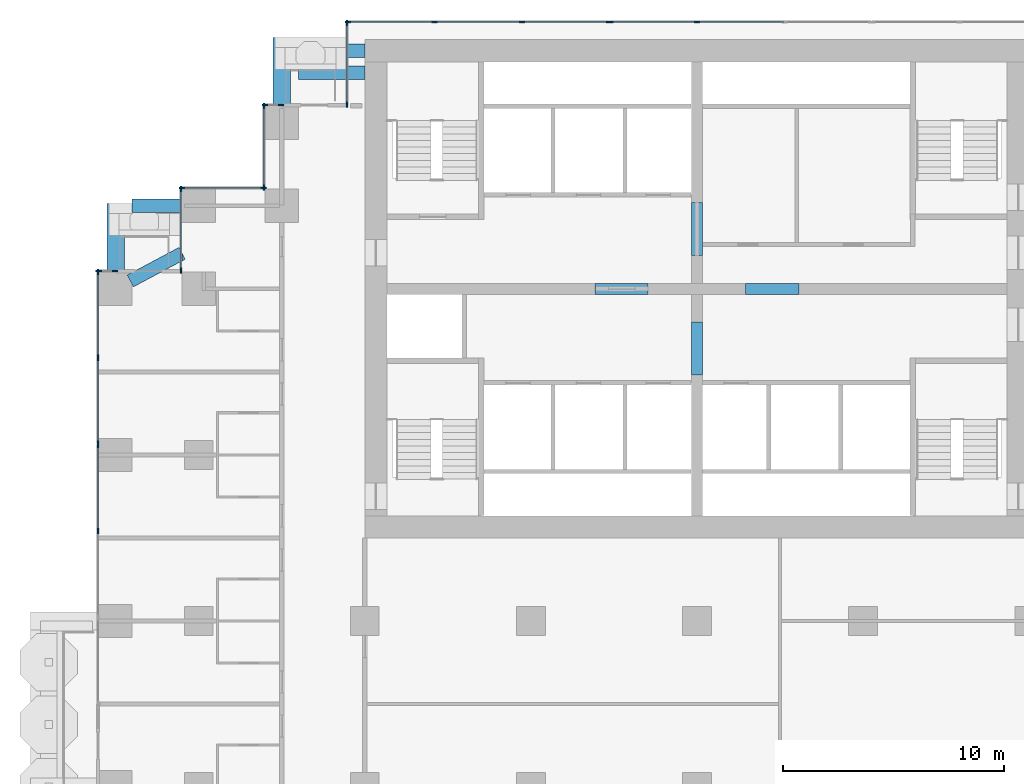
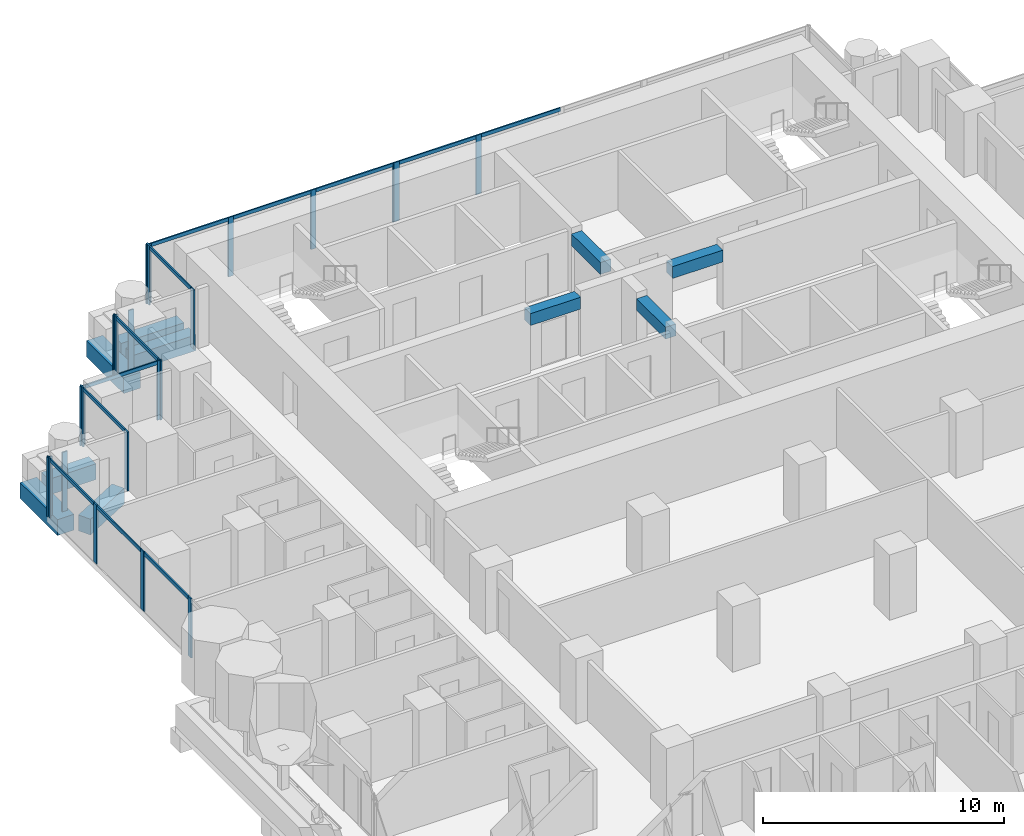
# One storey, part 5 of 20: 35 members, 10 beams, 10 elements without a shape of their own.
"""IFC4 building model written with IfcOpenShell, lengths in metres."""

from ifc_helpers import new_model, si_unit, direction, frame, origin, origin_2d, place, context, subcontext, project, spatial, rectangle, extrude, material, material_profile, profile_set, type_object, element, aggregate, save


model = new_model("IFC4")

# Units and contexts
model_context = context("Model", 3, precision=1e-05, world=origin(), true_north=direction((0.0, 1.0)))
body_context = subcontext(model_context, "Body", "Model", "MODEL_VIEW")
ifc_project = project(units=[si_unit("LENGTHUNIT", "METRE"), si_unit("AREAUNIT", "SQUARE_METRE"), si_unit("VOLUMEUNIT", "CUBIC_METRE"), si_unit("PLANEANGLEUNIT", "RADIAN"), si_unit("MASSUNIT", "GRAM", prefix="KILO")], contexts=[model_context])

# Site, building, storey
site_placement = place(None, origin())
site = spatial("IfcSite", under=ifc_project, at=site_placement, CompositionType="ELEMENT")
building_placement = place(site_placement, origin())
building = spatial("IfcBuilding", under=site, at=building_placement, Name="Pilkhan Gate Tower", CompositionType="ELEMENT")
storey_placement = place(building_placement, frame((0.0, 0.0, 85.699951171875)))
storey = spatial("IfcBuildingStorey", under=building, at=storey_placement, Name="L20", CompositionType="ELEMENT", Elevation=85.699951171875)

# Beams
ifc_material_1 = material(Name="Concrete C50/60", Category="concrete")
ifc_material_profile_1 = material_profile(ifc_material_1, rectangle(XDim=0.60009765625, YDim=0.800048828125, at=origin_2d()), Name="RC 600x800")
ifc_profile_set_1 = profile_set([ifc_material_profile_1], Name="Concrete C50/60")
beam_type_1 = type_object("IfcBeamType", Name="Cantilever beam CB1 RC 600x800 C50/60", PredefinedType="BEAM", material=ifc_profile_set_1)
for number, where, z_axis, x_axis, name in (
    (1, (60.0, 93.25, -0.699951171875), (-1.0, 0.0, 0.0), (0.0, -1.0, 0.0), "Balcony beam NW.2 L20"),
    (2, (60.0, 92.25, -0.699951171875), (-1.0, 0.0, 0.0), (0.0, -1.0, 0.0), "Balcony beam NW.3 L20"),
):
    element("IfcBeam", number, at=place(storey_placement, frame(where, z_axis=z_axis, x_axis=x_axis)), inside=storey, type_object=beam_type_1, Name=name, PredefinedType="BEAM", context=body_context, shape_type="SweptSolid", body=[
        extrude(rectangle(XDim=0.60009765625, YDim=0.800048828125, at=origin_2d()), origin(), (0.0, 0.0, 1.0), 3.0),
    ])
beam_1_placement = place(storey_placement, frame((51.75, 86.25, -0.699951171875), z_axis=(-1.0, 0.0, 0.0), x_axis=(0.0, -1.0, 0.0)))
element("IfcBeam", 3, at=beam_1_placement, inside=storey, type_object=beam_type_1, Name="Balcony beam NW2.2 L20", PredefinedType="BEAM", context=body_context, shape_type="SweptSolid", body=[
    extrude(rectangle(XDim=0.60009765625, YDim=0.800048828125, at=origin_2d()), origin(), (0.0, 0.0, 1.0), 2.25),
])
beam_2_placement = place(storey_placement, frame((49.411865234375, 82.85302734375, -0.699951171875), z_axis=(0.882342739565, 0.470607362817, 0.0), x_axis=(-0.470607362817, 0.882342739565, 0.0)))
element("IfcBeam", 4, at=beam_2_placement, inside=storey, type_object=beam_type_1, Name="Balcony beam NW2.3 L20", PredefinedType="BEAM", context=body_context, shape_type="SweptSolid", body=[
    extrude(rectangle(XDim=0.60009765625, YDim=0.800048828125, at=origin_2d()), origin(), (0.0, 0.0, 1.0), 2.64990234375),
])
ifc_material_profile_2 = material_profile(ifc_material_1, rectangle(XDim=0.800048828125, YDim=0.800048828125, at=origin_2d()), Name="RC 800x800")
ifc_profile_set_2 = profile_set([ifc_material_profile_2], Name="Concrete C50/60")
beam_type_2 = type_object("IfcBeamType", Name="Cantilever beam CB2 RC 800x800 C50/60", PredefinedType="BEAM", material=ifc_profile_set_2)
for number, where, z_axis, x_axis, name in (
    (5, (56.25, 90.75, -0.699951171875), (0.0, 1.0, 0.0), (-1.0, 0.0, 0.0), "Balcony beam NW.1 L20"),
    (6, (48.75, 83.25, -0.699951171875), (0.0, 1.0, 0.0), (-1.0, 0.0, 0.0), "Balcony beam NW2.1 L20"),
):
    element("IfcBeam", number, at=place(storey_placement, frame(where, z_axis=z_axis, x_axis=x_axis)), inside=storey, type_object=beam_type_2, Name=name, PredefinedType="BEAM", context=body_context, shape_type="SweptSolid", body=[
        extrude(rectangle(XDim=0.800048828125, YDim=0.800048828125, at=origin_2d()), origin(), (0.0, 0.0, 1.0), 3.10009765625),
    ])
ifc_material_2 = material(Name="Concrete C70/85", Category="concrete")
ifc_material_profile_3 = material_profile(ifc_material_2, rectangle(XDim=0.5, YDim=0.60009765625, at=origin_2d()), Name="RC 500x600")
ifc_profile_set_3 = profile_set([ifc_material_profile_3], Name="Concrete C70/85")
beam_type_3 = type_object("IfcBeamType", Name="Coupling beam CB60 RC 500x600 C70/85", PredefinedType="LINTEL", material=ifc_profile_set_3)
for number, where, z_axis, x_axis, name in (
    (7, (70.39990234375, 82.5, 2.699951171875), (1.0, 0.0, 0.0), (0.0, 1.0, 0.0), "Coupling beam 1 L20"),
    (8, (77.199951171875, 82.5, 2.699951171875), (1.0, 0.0, 0.0), (0.0, 1.0, 0.0), "Coupling beam 2 L20"),
):
    element("IfcBeam", number, at=place(storey_placement, frame(where, z_axis=z_axis, x_axis=x_axis)), inside=storey, type_object=beam_type_3, Name=name, PredefinedType="LINTEL", context=body_context, shape_type="SweptSolid", body=[
        extrude(rectangle(XDim=0.5, YDim=0.60009765625, at=origin_2d()), origin(), (0.0, 0.0, 1.0), 2.400146484375),
    ])
for number, where, z_axis, x_axis, name in (
    (9, (75.0, 78.60009765625, 2.699951171875), (0.0, 1.0, 0.0), (-1.0, 0.0, 0.0), "Coupling beam 3 L20"),
    (10, (75.0, 84.0, 2.699951171875), (0.0, 1.0, 0.0), (-1.0, 0.0, 0.0), "Coupling beam 4 L20"),
):
    element("IfcBeam", number, at=place(storey_placement, frame(where, z_axis=z_axis, x_axis=x_axis)), inside=storey, type_object=beam_type_3, Name=name, PredefinedType="LINTEL", context=body_context, shape_type="SweptSolid", body=[
        extrude(rectangle(XDim=0.5, YDim=0.60009765625, at=origin_2d()), origin(), (0.0, 0.0, 1.0), 2.39990234375),
    ])

# Curtain wall, members
ifc_material_3 = material(Name="Pale anodised aluminium, clear low-iron double glazing", Category="aluminium")
curtain_wall_type = type_object("IfcCurtainWallType", Name="Hotel unitised curtain wall CW-H", PredefinedType="USERDEFINED", material=ifc_material_3)
curtain_wall_1_placement = place(storey_placement, origin())
curtain_wall_1 = element("IfcCurtainWall", 11, at=curtain_wall_1_placement, inside=storey, type_object=curtain_wall_type, Name="Hotel unitised curtain wall CW-H L20 N", ObjectType="UNITISED CURTAIN WALL", PredefinedType="USERDEFINED")
ifc_material_4 = material(Name="Pale anodised aluminium", Category="aluminium")
ifc_material_profile_4 = material_profile(ifc_material_4, rectangle(XDim=0.06494140625, YDim=0.25, at=origin_2d()), Name="Mullion 250x65")
ifc_profile_set_4 = profile_set([ifc_material_profile_4], Name="Pale anodised aluminium")
member_type_1 = type_object("IfcMemberType", Name="Mullion CW-H 250x65", PredefinedType="MULLION", material=ifc_profile_set_4)
member_1_placement = place(storey_placement, frame((59.237548828125, 94.544921875, 0.0), z_axis=(0.0, 0.0, 1.0), x_axis=(0.0, 1.0, 0.0)))
member_1 = element("IfcMember", 12, at=member_1_placement, type_object=member_type_1, Name="CW-H mullion 1", PredefinedType="MULLION", context=body_context, shape_type="SweptSolid", body=[
    extrude(rectangle(XDim=0.06494140625, YDim=0.25, at=origin_2d()), origin(), (0.0, 0.0, 1.0), 3.0),
])
member_2_placement = place(storey_placement, frame((63.15380859375, 94.544921875, 0.0), z_axis=(0.0, 0.0, 1.0), x_axis=(0.0, 1.0, 0.0)))
member_2 = element("IfcMember", 13, at=member_2_placement, type_object=member_type_1, Name="CW-H mullion 2", PredefinedType="MULLION", context=body_context, shape_type="SweptSolid", body=[
    extrude(rectangle(XDim=0.06494140625, YDim=0.25, at=origin_2d()), origin(), (0.0, 0.0, 1.0), 3.0),
])
member_3_placement = place(storey_placement, frame((67.1025390625, 94.544921875, 0.0), z_axis=(0.0, 0.0, 1.0), x_axis=(0.0, 1.0, 0.0)))
member_3 = element("IfcMember", 14, at=member_3_placement, type_object=member_type_1, Name="CW-H mullion 3", PredefinedType="MULLION", context=body_context, shape_type="SweptSolid", body=[
    extrude(rectangle(XDim=0.06494140625, YDim=0.25, at=origin_2d()), origin(), (0.0, 0.0, 1.0), 3.0),
])
member_4_placement = place(storey_placement, frame((71.018798828125, 94.544921875, 0.0), z_axis=(0.0, 0.0, 1.0), x_axis=(0.0, 1.0, 0.0)))
member_4 = element("IfcMember", 15, at=member_4_placement, type_object=member_type_1, Name="CW-H mullion 4", PredefinedType="MULLION", context=body_context, shape_type="SweptSolid", body=[
    extrude(rectangle(XDim=0.06494140625, YDim=0.25, at=origin_2d()), origin(), (0.0, 0.0, 1.0), 3.0),
])

curtain_wall_2_placement = place(storey_placement, origin())
curtain_wall_2 = element("IfcCurtainWall", 16, at=curtain_wall_2_placement, inside=storey, type_object=curtain_wall_type, Name="Hotel unitised curtain wall CW-H L20 N", ObjectType="UNITISED CURTAIN WALL", PredefinedType="USERDEFINED")
member_5_placement = place(storey_placement, frame((71.083740234375, 94.544921875, 0.0), z_axis=(0.0, 0.0, 1.0), x_axis=(0.0, 1.0, 0.0)))
member_5 = element("IfcMember", 17, at=member_5_placement, type_object=member_type_1, Name="CW-H mullion 1", PredefinedType="MULLION", context=body_context, shape_type="SweptSolid", body=[
    extrude(rectangle(XDim=0.06494140625, YDim=0.25, at=origin_2d()), origin(), (0.0, 0.0, 1.0), 3.0),
])
member_6_placement = place(storey_placement, frame((75.0, 94.544921875, 0.0), z_axis=(0.0, 0.0, 1.0), x_axis=(0.0, 1.0, 0.0)))
member_6 = element("IfcMember", 18, at=member_6_placement, type_object=member_type_1, Name="CW-H mullion 2", PredefinedType="MULLION", context=body_context, shape_type="SweptSolid", body=[
    extrude(rectangle(XDim=0.06494140625, YDim=0.25, at=origin_2d()), origin(), (0.0, 0.0, 1.0), 3.0),
])

curtain_wall_3_placement = place(storey_placement, origin())
curtain_wall_3 = element("IfcCurtainWall", 19, at=curtain_wall_3_placement, inside=storey, type_object=curtain_wall_type, Name="Hotel unitised curtain wall CW-H L20 W", ObjectType="UNITISED CURTAIN WALL", PredefinedType="USERDEFINED")
member_7_placement = place(storey_placement, frame((59.205078125, 90.827392578125, 0.0), z_axis=(0.0, 0.0, 1.0), x_axis=(-1.0, 0.0, 0.0)))
member_7 = element("IfcMember", 20, at=member_7_placement, type_object=member_type_1, Name="CW-H mullion 1", PredefinedType="MULLION", context=body_context, shape_type="SweptSolid", body=[
    extrude(rectangle(XDim=0.06494140625, YDim=0.25, at=origin_2d()), origin(), (0.0, 0.0, 1.0), 3.0),
])
member_8_placement = place(storey_placement, frame((59.205078125, 94.512451171875, 0.0), z_axis=(0.0, 0.0, 1.0), x_axis=(-1.0, 0.0, 0.0)))
member_8 = element("IfcMember", 21, at=member_8_placement, type_object=member_type_1, Name="CW-H mullion 2", PredefinedType="MULLION", context=body_context, shape_type="SweptSolid", body=[
    extrude(rectangle(XDim=0.06494140625, YDim=0.25, at=origin_2d()), origin(), (0.0, 0.0, 1.0), 3.0),
])

curtain_wall_4_placement = place(storey_placement, origin())
curtain_wall_4 = element("IfcCurtainWall", 22, at=curtain_wall_4_placement, inside=storey, type_object=curtain_wall_type, Name="Hotel unitised curtain wall CW-H L20 N", ObjectType="UNITISED CURTAIN WALL", PredefinedType="USERDEFINED")
member_9_placement = place(storey_placement, frame((55.487548828125, 90.794921875, 0.0), z_axis=(0.0, 0.0, 1.0), x_axis=(0.0, 1.0, 0.0)))
member_9 = element("IfcMember", 23, at=member_9_placement, type_object=member_type_1, Name="CW-H mullion 1", PredefinedType="MULLION", context=body_context, shape_type="SweptSolid", body=[
    extrude(rectangle(XDim=0.06494140625, YDim=0.25, at=origin_2d()), origin(), (0.0, 0.0, 1.0), 3.0),
])
member_10_placement = place(storey_placement, frame((56.217529296875, 90.794921875, 0.0), z_axis=(0.0, 0.0, 1.0), x_axis=(0.0, 1.0, 0.0)))
member_10 = element("IfcMember", 24, at=member_10_placement, type_object=member_type_1, Name="CW-H mullion 2", PredefinedType="MULLION", context=body_context, shape_type="SweptSolid", body=[
    extrude(rectangle(XDim=0.06494140625, YDim=0.25, at=origin_2d()), origin(), (0.0, 0.0, 1.0), 3.0),
])
aggregate(curtain_wall_4, [member_9, member_10])

curtain_wall_5_placement = place(storey_placement, origin())
curtain_wall_5 = element("IfcCurtainWall", 25, at=curtain_wall_5_placement, inside=storey, type_object=curtain_wall_type, Name="Hotel unitised curtain wall CW-H L20 W", ObjectType="UNITISED CURTAIN WALL", PredefinedType="USERDEFINED")
member_11_placement = place(storey_placement, frame((55.455078125, 87.077392578125, 0.0), z_axis=(0.0, 0.0, 1.0), x_axis=(-1.0, 0.0, 0.0)))
member_11 = element("IfcMember", 26, at=member_11_placement, type_object=member_type_1, Name="CW-H mullion 1", PredefinedType="MULLION", context=body_context, shape_type="SweptSolid", body=[
    extrude(rectangle(XDim=0.06494140625, YDim=0.25, at=origin_2d()), origin(), (0.0, 0.0, 1.0), 3.0),
])
member_12_placement = place(storey_placement, frame((55.455078125, 90.762451171875, 0.0), z_axis=(0.0, 0.0, 1.0), x_axis=(-1.0, 0.0, 0.0)))
member_12 = element("IfcMember", 27, at=member_12_placement, type_object=member_type_1, Name="CW-H mullion 2", PredefinedType="MULLION", context=body_context, shape_type="SweptSolid", body=[
    extrude(rectangle(XDim=0.06494140625, YDim=0.25, at=origin_2d()), origin(), (0.0, 0.0, 1.0), 3.0),
])

curtain_wall_6_placement = place(storey_placement, origin())
curtain_wall_6 = element("IfcCurtainWall", 28, at=curtain_wall_6_placement, inside=storey, type_object=curtain_wall_type, Name="Hotel unitised curtain wall CW-H L20 N", ObjectType="UNITISED CURTAIN WALL", PredefinedType="USERDEFINED")
member_13_placement = place(storey_placement, frame((51.737548828125, 87.044921875, 0.0), z_axis=(0.0, 0.0, 1.0), x_axis=(0.0, 1.0, 0.0)))
member_13 = element("IfcMember", 29, at=member_13_placement, type_object=member_type_1, Name="CW-H mullion 1", PredefinedType="MULLION", context=body_context, shape_type="SweptSolid", body=[
    extrude(rectangle(XDim=0.06494140625, YDim=0.25, at=origin_2d()), origin(), (0.0, 0.0, 1.0), 3.0),
])
member_14_placement = place(storey_placement, frame((55.422607421875, 87.044921875, 0.0), z_axis=(0.0, 0.0, 1.0), x_axis=(0.0, 1.0, 0.0)))
member_14 = element("IfcMember", 30, at=member_14_placement, type_object=member_type_1, Name="CW-H mullion 2", PredefinedType="MULLION", context=body_context, shape_type="SweptSolid", body=[
    extrude(rectangle(XDim=0.06494140625, YDim=0.25, at=origin_2d()), origin(), (0.0, 0.0, 1.0), 3.0),
])

curtain_wall_7_placement = place(storey_placement, origin())
curtain_wall_7 = element("IfcCurtainWall", 31, at=curtain_wall_7_placement, inside=storey, type_object=curtain_wall_type, Name="Hotel unitised curtain wall CW-H L20 W", ObjectType="UNITISED CURTAIN WALL", PredefinedType="USERDEFINED")
member_15_placement = place(storey_placement, frame((51.705078125, 83.327392578125, 0.0), z_axis=(0.0, 0.0, 1.0), x_axis=(-1.0, 0.0, 0.0)))
member_15 = element("IfcMember", 32, at=member_15_placement, type_object=member_type_1, Name="CW-H mullion 1", PredefinedType="MULLION", context=body_context, shape_type="SweptSolid", body=[
    extrude(rectangle(XDim=0.06494140625, YDim=0.25, at=origin_2d()), origin(), (0.0, 0.0, 1.0), 3.0),
])
member_16_placement = place(storey_placement, frame((51.705078125, 87.012451171875, 0.0), z_axis=(0.0, 0.0, 1.0), x_axis=(-1.0, 0.0, 0.0)))
member_16 = element("IfcMember", 33, at=member_16_placement, type_object=member_type_1, Name="CW-H mullion 2", PredefinedType="MULLION", context=body_context, shape_type="SweptSolid", body=[
    extrude(rectangle(XDim=0.06494140625, YDim=0.25, at=origin_2d()), origin(), (0.0, 0.0, 1.0), 3.0),
])

curtain_wall_8_placement = place(storey_placement, origin())
curtain_wall_8 = element("IfcCurtainWall", 34, at=curtain_wall_8_placement, inside=storey, type_object=curtain_wall_type, Name="Hotel unitised curtain wall CW-H L20 N", ObjectType="UNITISED CURTAIN WALL", PredefinedType="USERDEFINED")
member_17_placement = place(storey_placement, frame((47.987548828125, 83.294921875, 0.0), z_axis=(0.0, 0.0, 1.0), x_axis=(0.0, 1.0, 0.0)))
member_17 = element("IfcMember", 35, at=member_17_placement, type_object=member_type_1, Name="CW-H mullion 1", PredefinedType="MULLION", context=body_context, shape_type="SweptSolid", body=[
    extrude(rectangle(XDim=0.06494140625, YDim=0.25, at=origin_2d()), origin(), (0.0, 0.0, 1.0), 3.0),
])
member_18_placement = place(storey_placement, frame((48.717529296875, 83.294921875, 0.0), z_axis=(0.0, 0.0, 1.0), x_axis=(0.0, 1.0, 0.0)))
member_18 = element("IfcMember", 36, at=member_18_placement, type_object=member_type_1, Name="CW-H mullion 2", PredefinedType="MULLION", context=body_context, shape_type="SweptSolid", body=[
    extrude(rectangle(XDim=0.06494140625, YDim=0.25, at=origin_2d()), origin(), (0.0, 0.0, 1.0), 3.0),
])
aggregate(curtain_wall_8, [member_17, member_18])

curtain_wall_9_placement = place(storey_placement, origin())
curtain_wall_9 = element("IfcCurtainWall", 37, at=curtain_wall_9_placement, inside=storey, type_object=curtain_wall_type, Name="Hotel unitised curtain wall CW-H L20 W", ObjectType="UNITISED CURTAIN WALL", PredefinedType="USERDEFINED")
member_19_placement = place(storey_placement, frame((47.955078125, 71.568115234375, 0.0), z_axis=(0.0, 0.0, 1.0), x_axis=(-1.0, 0.0, 0.0)))
member_19 = element("IfcMember", 38, at=member_19_placement, type_object=member_type_1, Name="CW-H mullion 3", PredefinedType="MULLION", context=body_context, shape_type="SweptSolid", body=[
    extrude(rectangle(XDim=0.06494140625, YDim=0.25, at=origin_2d()), origin(), (0.0, 0.0, 1.0), 3.0),
])
member_20_placement = place(storey_placement, frame((47.955078125, 75.444580078125, 0.0), z_axis=(0.0, 0.0, 1.0), x_axis=(-1.0, 0.0, 0.0)))
member_20 = element("IfcMember", 39, at=member_20_placement, type_object=member_type_1, Name="CW-H mullion 4", PredefinedType="MULLION", context=body_context, shape_type="SweptSolid", body=[
    extrude(rectangle(XDim=0.06494140625, YDim=0.25, at=origin_2d()), origin(), (0.0, 0.0, 1.0), 3.0),
])

curtain_wall_10_placement = place(storey_placement, origin())
curtain_wall_10 = element("IfcCurtainWall", 40, at=curtain_wall_10_placement, inside=storey, type_object=curtain_wall_type, Name="Hotel unitised curtain wall CW-H L20 W", ObjectType="UNITISED CURTAIN WALL", PredefinedType="USERDEFINED")
member_21_placement = place(storey_placement, frame((47.955078125, 75.509521484375, 0.0), z_axis=(0.0, 0.0, 1.0), x_axis=(-1.0, 0.0, 0.0)))
member_21 = element("IfcMember", 41, at=member_21_placement, type_object=member_type_1, Name="CW-H mullion 1", PredefinedType="MULLION", context=body_context, shape_type="SweptSolid", body=[
    extrude(rectangle(XDim=0.06494140625, YDim=0.25, at=origin_2d()), origin(), (0.0, 0.0, 1.0), 3.0),
])
member_22_placement = place(storey_placement, frame((47.955078125, 79.385986328125, 0.0), z_axis=(0.0, 0.0, 1.0), x_axis=(-1.0, 0.0, 0.0)))
member_22 = element("IfcMember", 42, at=member_22_placement, type_object=member_type_1, Name="CW-H mullion 2", PredefinedType="MULLION", context=body_context, shape_type="SweptSolid", body=[
    extrude(rectangle(XDim=0.06494140625, YDim=0.25, at=origin_2d()), origin(), (0.0, 0.0, 1.0), 3.0),
])
member_23_placement = place(storey_placement, frame((47.955078125, 83.262451171875, 0.0), z_axis=(0.0, 0.0, 1.0), x_axis=(-1.0, 0.0, 0.0)))
member_23 = element("IfcMember", 43, at=member_23_placement, type_object=member_type_1, Name="CW-H mullion 3", PredefinedType="MULLION", context=body_context, shape_type="SweptSolid", body=[
    extrude(rectangle(XDim=0.06494140625, YDim=0.25, at=origin_2d()), origin(), (0.0, 0.0, 1.0), 3.0),
])

# Member
ifc_material_profile_5 = material_profile(ifc_material_4, rectangle(XDim=0.06494140625, YDim=0.179931640625, at=origin_2d()), Name="Transom 180x65")
ifc_profile_set_5 = profile_set([ifc_material_profile_5], Name="Pale anodised aluminium")
member_type_2 = type_object("IfcMemberType", Name="Transom CW-H 180x65", PredefinedType="USERDEFINED", material=ifc_profile_set_5)
member_24_placement = place(storey_placement, frame((59.27001953125, 94.544921875, 2.91015625), z_axis=(1.0, 0.0, 0.0), x_axis=(0.0, 1.0, 0.0)))
member_24 = element("IfcMember", 44, at=member_24_placement, type_object=member_type_2, Name="CW-H transom 1", ObjectType="TRANSOM", PredefinedType="USERDEFINED", context=body_context, shape_type="SweptSolid", body=[
    extrude(rectangle(XDim=0.06494140625, YDim=0.179931640625, at=origin_2d()), origin(), (0.0, 0.0, 1.0), 3.851318359375),
])

member_25_placement = place(storey_placement, frame((63.186279296875, 94.544921875, 2.91015625), z_axis=(1.0, 0.0, 0.0), x_axis=(0.0, 1.0, 0.0)))
member_25 = element("IfcMember", 45, at=member_25_placement, type_object=member_type_2, Name="CW-H transom 2", ObjectType="TRANSOM", PredefinedType="USERDEFINED", context=body_context, shape_type="SweptSolid", body=[
    extrude(rectangle(XDim=0.06494140625, YDim=0.179931640625, at=origin_2d()), origin(), (0.0, 0.0, 1.0), 3.8837890625),
])

member_26_placement = place(storey_placement, frame((67.135009765625, 94.544921875, 2.91015625), z_axis=(1.0, 0.0, 0.0), x_axis=(0.0, 1.0, 0.0)))
member_26 = element("IfcMember", 46, at=member_26_placement, type_object=member_type_2, Name="CW-H transom 3", ObjectType="TRANSOM", PredefinedType="USERDEFINED", context=body_context, shape_type="SweptSolid", body=[
    extrude(rectangle(XDim=0.06494140625, YDim=0.179931640625, at=origin_2d()), origin(), (0.0, 0.0, 1.0), 3.851318359375),
])

aggregate(curtain_wall_1, [member_1, member_2, member_3, member_4, member_24, member_25, member_26])

member_27_placement = place(storey_placement, frame((71.1162109375, 94.544921875, 2.91015625), z_axis=(1.0, 0.0, 0.0), x_axis=(0.0, 1.0, 0.0)))
member_27 = element("IfcMember", 47, at=member_27_placement, type_object=member_type_2, Name="CW-H transom 1", ObjectType="TRANSOM", PredefinedType="USERDEFINED", context=body_context, shape_type="SweptSolid", body=[
    extrude(rectangle(XDim=0.06494140625, YDim=0.179931640625, at=origin_2d()), origin(), (0.0, 0.0, 1.0), 3.851318359375),
])

member_28_placement = place(storey_placement, frame((75.032470703125, 94.544921875, 2.91015625), z_axis=(1.0, 0.0, 0.0), x_axis=(0.0, 1.0, 0.0)))
member_28 = element("IfcMember", 48, at=member_28_placement, type_object=member_type_2, Name="CW-H transom 2", ObjectType="TRANSOM", PredefinedType="USERDEFINED", context=body_context, shape_type="SweptSolid", body=[
    extrude(rectangle(XDim=0.06494140625, YDim=0.179931640625, at=origin_2d()), origin(), (0.0, 0.0, 1.0), 3.8837890625),
])

aggregate(curtain_wall_2, [member_5, member_6, member_27, member_28])

member_29_placement = place(storey_placement, frame((59.205078125, 90.860107421875, 2.91015625), z_axis=(0.0, 1.0, 0.0), x_axis=(-1.0, 0.0, 0.0)))
member_29 = element("IfcMember", 49, at=member_29_placement, type_object=member_type_2, Name="CW-H transom 1", ObjectType="TRANSOM", PredefinedType="USERDEFINED", context=body_context, shape_type="SweptSolid", body=[
    extrude(rectangle(XDim=0.06494140625, YDim=0.179931640625, at=origin_2d()), origin(), (0.0, 0.0, 1.0), 3.619873046875),
])

aggregate(curtain_wall_3, [member_7, member_8, member_29])

member_30_placement = place(storey_placement, frame((55.455078125, 87.110107421875, 2.91015625), z_axis=(0.0, 1.0, 0.0), x_axis=(-1.0, 0.0, 0.0)))
member_30 = element("IfcMember", 50, at=member_30_placement, type_object=member_type_2, Name="CW-H transom 1", ObjectType="TRANSOM", PredefinedType="USERDEFINED", context=body_context, shape_type="SweptSolid", body=[
    extrude(rectangle(XDim=0.06494140625, YDim=0.179931640625, at=origin_2d()), origin(), (0.0, 0.0, 1.0), 3.619873046875),
])

aggregate(curtain_wall_5, [member_11, member_12, member_30])

member_31_placement = place(storey_placement, frame((51.77001953125, 87.044921875, 2.91015625), z_axis=(1.0, 0.0, 0.0), x_axis=(0.0, 1.0, 0.0)))
member_31 = element("IfcMember", 51, at=member_31_placement, type_object=member_type_2, Name="CW-H transom 1", ObjectType="TRANSOM", PredefinedType="USERDEFINED", context=body_context, shape_type="SweptSolid", body=[
    extrude(rectangle(XDim=0.06494140625, YDim=0.179931640625, at=origin_2d()), origin(), (0.0, 0.0, 1.0), 3.619873046875),
])

aggregate(curtain_wall_6, [member_13, member_14, member_31])

member_32_placement = place(storey_placement, frame((51.705078125, 83.360107421875, 2.91015625), z_axis=(0.0, 1.0, 0.0), x_axis=(-1.0, 0.0, 0.0)))
member_32 = element("IfcMember", 52, at=member_32_placement, type_object=member_type_2, Name="CW-H transom 1", ObjectType="TRANSOM", PredefinedType="USERDEFINED", context=body_context, shape_type="SweptSolid", body=[
    extrude(rectangle(XDim=0.06494140625, YDim=0.179931640625, at=origin_2d()), origin(), (0.0, 0.0, 1.0), 3.619873046875),
])

aggregate(curtain_wall_7, [member_15, member_16, member_32])

member_33_placement = place(storey_placement, frame((47.955078125, 71.6005859375, 2.91015625), z_axis=(0.0, 1.0, 0.0), x_axis=(-1.0, 0.0, 0.0)))
member_33 = element("IfcMember", 53, at=member_33_placement, type_object=member_type_2, Name="CW-H transom 3", ObjectType="TRANSOM", PredefinedType="USERDEFINED", context=body_context, shape_type="SweptSolid", body=[
    extrude(rectangle(XDim=0.06494140625, YDim=0.179931640625, at=origin_2d()), origin(), (0.0, 0.0, 1.0), 3.8115234375),
])

aggregate(curtain_wall_9, [member_19, member_20, member_33])

member_34_placement = place(storey_placement, frame((47.955078125, 75.5419921875, 2.91015625), z_axis=(0.0, 1.0, 0.0), x_axis=(-1.0, 0.0, 0.0)))
member_34 = element("IfcMember", 54, at=member_34_placement, type_object=member_type_2, Name="CW-H transom 1", ObjectType="TRANSOM", PredefinedType="USERDEFINED", context=body_context, shape_type="SweptSolid", body=[
    extrude(rectangle(XDim=0.06494140625, YDim=0.179931640625, at=origin_2d()), origin(), (0.0, 0.0, 1.0), 3.8115234375),
])

member_35_placement = place(storey_placement, frame((47.955078125, 79.41845703125, 2.91015625), z_axis=(0.0, 1.0, 0.0), x_axis=(-1.0, 0.0, 0.0)))
member_35 = element("IfcMember", 55, at=member_35_placement, type_object=member_type_2, Name="CW-H transom 2", ObjectType="TRANSOM", PredefinedType="USERDEFINED", context=body_context, shape_type="SweptSolid", body=[
    extrude(rectangle(XDim=0.06494140625, YDim=0.179931640625, at=origin_2d()), origin(), (0.0, 0.0, 1.0), 3.8115234375),
])

aggregate(curtain_wall_10, [member_21, member_22, member_23, member_34, member_35])

save(model, "model.ifc")
